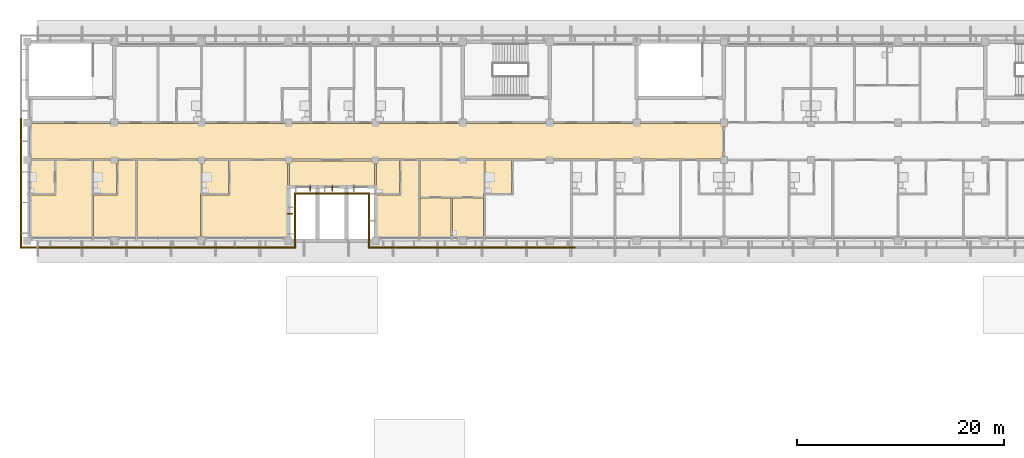
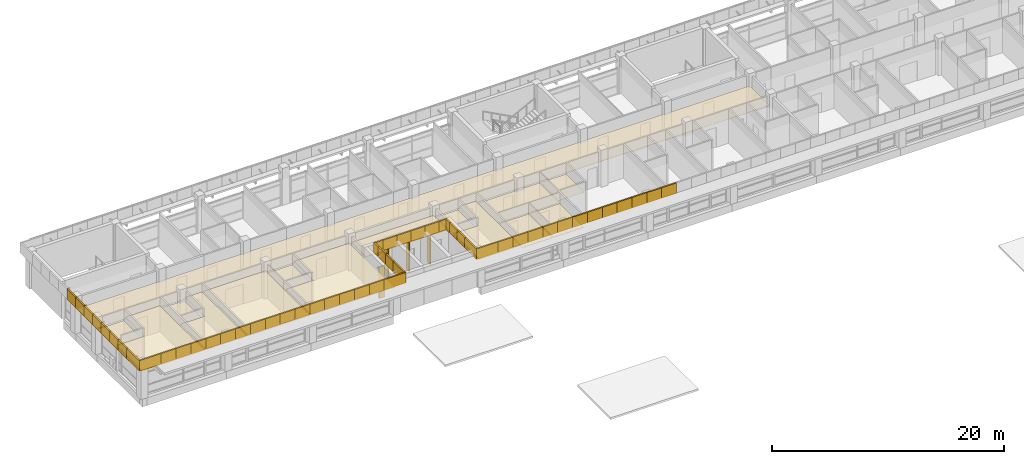
# One storey, part 30 of 36: 67 coverings, 4 shading devices.
"""IFC4 building model written with IfcOpenShell, lengths in metres."""

from ifc_helpers import new_model, si_unit, direction, frame, origin, origin_2d, place, context, subcontext, project, spatial, polyline, rectangle, outline, extrude, material, layer, layer_set, material_profile, profile_set, type_object, element, save


model = new_model("IFC4")

# Units and contexts
model_context = context("Model", 3, precision=1e-05, world=origin(), true_north=direction((0.0, 1.0)))
body_context = subcontext(model_context, "Body", "Model", "MODEL_VIEW")
ifc_project = project(units=[si_unit("LENGTHUNIT", "METRE"), si_unit("AREAUNIT", "SQUARE_METRE"), si_unit("VOLUMEUNIT", "CUBIC_METRE"), si_unit("PLANEANGLEUNIT", "RADIAN"), si_unit("MASSUNIT", "GRAM", prefix="KILO")], contexts=[model_context])

# Site, building, storey
site_placement = place(None, origin())
site = spatial("IfcSite", under=ifc_project, at=site_placement, CompositionType="ELEMENT")
building_placement = place(site_placement, origin())
building = spatial("IfcBuilding", under=site, at=building_placement, Name="Bougainvillea Quay General Hospital", CompositionType="ELEMENT")
storey_placement = place(building_placement, frame((0.0, 0.0, 32.699951171875)))
storey = spatial("IfcBuildingStorey", under=building, at=storey_placement, Name="L07", CompositionType="ELEMENT", Elevation=32.699951171875)

# Coverings
ifc_material_1 = material(Name="Powder-coated aluminium fascia, white", Category="aluminium")
ifc_layer_1 = layer(ifc_material_1, 0.14990234375)
ifc_layer_set_1 = layer_set([ifc_layer_1], Name="Powder-coated aluminium fascia, white")
covering_type_1 = type_object("IfcCoveringType", Name="Aluminium fascia band white 150x1100", PredefinedType="CLADDING", material=ifc_layer_set_1)
covering_1_placement = place(storey_placement, frame((41.449951171875, 152.21533203125, 3.35009765625), z_axis=(0.0, 0.0, 1.0), x_axis=(0.0, -1.0, 0.0)))
element("IfcCovering", 1, at=covering_1_placement, inside=storey, type_object=covering_type_1, Name="Fascia band white e0 102", PredefinedType="CLADDING", context=body_context, shape_type="SweptSolid", body=[
    extrude(outline(polyline([(0.0, 0.0), (1.476806640625, 0.0), (1.476806640625, -0.14990234375), (0.0, -0.14990234375), (0.0, 0.0)])), origin(), (0.0, 0.0, 1.0), 1.10009765625),
])
covering_2_placement = place(storey_placement, frame((41.449951171875, 150.738525390625, 3.35009765625), z_axis=(0.0, 0.0, 1.0), x_axis=(0.0, -1.0, 0.0)))
element("IfcCovering", 2, at=covering_2_placement, inside=storey, type_object=covering_type_1, Name="Fascia band white e0 103", PredefinedType="CLADDING", context=body_context, shape_type="SweptSolid", body=[
    extrude(outline(polyline([(0.0, 0.0), (1.47705078125, 0.0), (1.47705078125, -0.14990234375), (0.0, -0.14990234375), (0.0, 0.0)])), origin(), (0.0, 0.0, 1.0), 1.10009765625),
])
covering_3_placement = place(storey_placement, frame((41.449951171875, 149.261474609375, 3.35009765625), z_axis=(0.0, 0.0, 1.0), x_axis=(0.0, -1.0, 0.0)))
element("IfcCovering", 3, at=covering_3_placement, inside=storey, type_object=covering_type_1, Name="Fascia band white e0 104", PredefinedType="CLADDING", context=body_context, shape_type="SweptSolid", body=[
    extrude(outline(polyline([(0.0, 0.0), (1.476806640625, 0.0), (1.476806640625, -0.14990234375), (0.0, -0.14990234375), (0.0, 0.0)])), origin(), (0.0, 0.0, 1.0), 1.10009765625),
])
covering_4_placement = place(storey_placement, frame((41.449951171875, 147.78466796875, 3.35009765625), z_axis=(0.0, 0.0, 1.0), x_axis=(0.0, -1.0, 0.0)))
element("IfcCovering", 4, at=covering_4_placement, inside=storey, type_object=covering_type_1, Name="Fascia band white e0 105", PredefinedType="CLADDING", context=body_context, shape_type="SweptSolid", body=[
    extrude(outline(polyline([(0.0, 0.0), (1.47705078125, 0.0), (1.47705078125, -0.14990234375), (0.0, -0.14990234375), (0.0, 0.0)])), origin(), (0.0, 0.0, 1.0), 1.10009765625),
])
covering_5_placement = place(storey_placement, frame((41.449951171875, 146.3076171875, 3.35009765625), z_axis=(0.0, 0.0, 1.0), x_axis=(0.0, -1.0, 0.0)))
element("IfcCovering", 5, at=covering_5_placement, inside=storey, type_object=covering_type_1, Name="Fascia band white e0 106", PredefinedType="CLADDING", context=body_context, shape_type="SweptSolid", body=[
    extrude(outline(polyline([(0.0, 0.0), (1.476806640625, 0.0), (1.476806640625, -0.14990234375), (0.0, -0.14990234375), (0.0, 0.0)])), origin(), (0.0, 0.0, 1.0), 1.10009765625),
])
covering_6_placement = place(storey_placement, frame((41.449951171875, 144.830810546875, 3.35009765625), z_axis=(0.0, 0.0, 1.0), x_axis=(0.0, -1.0, 0.0)))
element("IfcCovering", 6, at=covering_6_placement, inside=storey, type_object=covering_type_1, Name="Fascia band white e0 107", PredefinedType="CLADDING", context=body_context, shape_type="SweptSolid", body=[
    extrude(outline(polyline([(0.0, 0.0), (1.47705078125, 0.0), (1.47705078125, -0.14990234375), (0.0, -0.14990234375), (0.0, 0.0)])), origin(), (0.0, 0.0, 1.0), 1.10009765625),
])
covering_7_placement = place(storey_placement, frame((41.449951171875, 143.353759765625, 3.35009765625), z_axis=(0.0, 0.0, 1.0), x_axis=(0.0, -1.0, 0.0)))
element("IfcCovering", 7, at=covering_7_placement, inside=storey, type_object=covering_type_1, Name="Fascia band white e0 108", PredefinedType="CLADDING", context=body_context, shape_type="SweptSolid", body=[
    extrude(outline(polyline([(0.0, 0.0), (1.476806640625, 0.0), (1.476806640625, -0.14990234375), (0.0, -0.14990234375), (0.0, 0.0)])), origin(), (0.0, 0.0, 1.0), 1.10009765625),
])
covering_8_placement = place(storey_placement, frame((41.449951171875, 141.876953125, 3.35009765625), z_axis=(0.0, 0.0, 1.0), x_axis=(0.0, -1.0, 0.0)))
element("IfcCovering", 8, at=covering_8_placement, inside=storey, type_object=covering_type_1, Name="Fascia band white e0 109", PredefinedType="CLADDING", context=body_context, shape_type="SweptSolid", body=[
    extrude(outline(polyline([(0.0, 0.0), (2.02685546875, 0.0), (2.177001953125, -0.14990234375), (0.0, -0.14990234375), (0.0, 0.0)])), origin(), (0.0, 0.0, 1.0), 1.10009765625),
])
covering_9_placement = place(storey_placement, frame((41.449951171875, 139.85009765625, 3.35009765625), z_axis=(0.0, 0.0, 1.0), x_axis=(1.0, 0.0, 0.0)))
element("IfcCovering", 9, at=covering_9_placement, inside=storey, type_object=covering_type_1, Name="Fascia band white e0 110", PredefinedType="CLADDING", context=body_context, shape_type="SweptSolid", body=[
    extrude(outline(polyline([(0.0, 0.0), (2.032470703125, 0.0), (2.032470703125, -0.150146484375), (-0.14990234375, -0.150146484375), (0.0, 0.0)])), origin(), (0.0, 0.0, 1.0), 1.10009765625),
])
covering_10_placement = place(storey_placement, frame((43.482421875, 139.85009765625, 3.35009765625), z_axis=(0.0, 0.0, 1.0), x_axis=(1.0, 0.0, 0.0)))
element("IfcCovering", 10, at=covering_10_placement, inside=storey, type_object=covering_type_1, Name="Fascia band white e0 111", PredefinedType="CLADDING", context=body_context, shape_type="SweptSolid", body=[
    extrude(outline(polyline([(0.0, 0.0), (1.482177734375, 0.0), (1.482177734375, -0.150146484375), (0.0, -0.150146484375), (0.0, 0.0)])), origin(), (0.0, 0.0, 1.0), 1.10009765625),
])
for number, where, z_axis, x_axis, name in (
    (11, (44.964599609375, 139.85009765625, 3.35009765625), (0.0, 0.0, 1.0), (1.0, 0.0, 0.0), "Fascia band white e0 112"),
    (12, (46.447021484375, 139.85009765625, 3.35009765625), (0.0, 0.0, 1.0), (1.0, 0.0, 0.0), "Fascia band white e0 113"),
    (13, (47.929443359375, 139.85009765625, 3.35009765625), (0.0, 0.0, 1.0), (1.0, 0.0, 0.0), "Fascia band white e0 114"),
):
    element("IfcCovering", number, at=place(storey_placement, frame(where, z_axis=z_axis, x_axis=x_axis)), inside=storey, type_object=covering_type_1, Name=name, PredefinedType="CLADDING", context=body_context, shape_type="SweptSolid", body=[
        extrude(outline(polyline([(0.0, 0.0), (1.482421875, 0.0), (1.482421875, -0.150146484375), (0.0, -0.150146484375), (0.0, 0.0)])), origin(), (0.0, 0.0, 1.0), 1.10009765625),
    ])
covering_11_placement = place(storey_placement, frame((49.411865234375, 139.85009765625, 3.35009765625), z_axis=(0.0, 0.0, 1.0), x_axis=(1.0, 0.0, 0.0)))
element("IfcCovering", 14, at=covering_11_placement, inside=storey, type_object=covering_type_1, Name="Fascia band white e0 115", PredefinedType="CLADDING", context=body_context, shape_type="SweptSolid", body=[
    extrude(outline(polyline([(0.0, 0.0), (1.482177734375, 0.0), (1.482177734375, -0.150146484375), (0.0, -0.150146484375), (0.0, 0.0)])), origin(), (0.0, 0.0, 1.0), 1.10009765625),
])
for number, where, z_axis, x_axis, name in (
    (15, (50.89404296875, 139.85009765625, 3.35009765625), (0.0, 0.0, 1.0), (1.0, 0.0, 0.0), "Fascia band white e0 116"),
    (16, (52.37646484375, 139.85009765625, 3.35009765625), (0.0, 0.0, 1.0), (1.0, 0.0, 0.0), "Fascia band white e0 117"),
):
    element("IfcCovering", number, at=place(storey_placement, frame(where, z_axis=z_axis, x_axis=x_axis)), inside=storey, type_object=covering_type_1, Name=name, PredefinedType="CLADDING", context=body_context, shape_type="SweptSolid", body=[
        extrude(outline(polyline([(0.0, 0.0), (1.482421875, 0.0), (1.482421875, -0.150146484375), (0.0, -0.150146484375), (0.0, 0.0)])), origin(), (0.0, 0.0, 1.0), 1.10009765625),
    ])
covering_12_placement = place(storey_placement, frame((53.85888671875, 139.85009765625, 3.35009765625), z_axis=(0.0, 0.0, 1.0), x_axis=(1.0, 0.0, 0.0)))
element("IfcCovering", 17, at=covering_12_placement, inside=storey, type_object=covering_type_1, Name="Fascia band white e0 118", PredefinedType="CLADDING", context=body_context, shape_type="SweptSolid", body=[
    extrude(outline(polyline([(0.0, 0.0), (1.482177734375, 0.0), (1.482177734375, -0.150146484375), (0.0, -0.150146484375), (0.0, 0.0)])), origin(), (0.0, 0.0, 1.0), 1.10009765625),
])
for number, where, z_axis, x_axis, name in (
    (18, (55.341064453125, 139.85009765625, 3.35009765625), (0.0, 0.0, 1.0), (1.0, 0.0, 0.0), "Fascia band white e0 119"),
    (19, (56.823486328125, 139.85009765625, 3.35009765625), (0.0, 0.0, 1.0), (1.0, 0.0, 0.0), "Fascia band white e0 120"),
    (20, (58.305908203125, 139.85009765625, 3.35009765625), (0.0, 0.0, 1.0), (1.0, 0.0, 0.0), "Fascia band white e0 121"),
):
    element("IfcCovering", number, at=place(storey_placement, frame(where, z_axis=z_axis, x_axis=x_axis)), inside=storey, type_object=covering_type_1, Name=name, PredefinedType="CLADDING", context=body_context, shape_type="SweptSolid", body=[
        extrude(outline(polyline([(0.0, 0.0), (1.482421875, 0.0), (1.482421875, -0.150146484375), (0.0, -0.150146484375), (0.0, 0.0)])), origin(), (0.0, 0.0, 1.0), 1.10009765625),
    ])
covering_13_placement = place(storey_placement, frame((59.788330078125, 139.85009765625, 3.35009765625), z_axis=(0.0, 0.0, 1.0), x_axis=(1.0, 0.0, 0.0)))
element("IfcCovering", 21, at=covering_13_placement, inside=storey, type_object=covering_type_1, Name="Fascia band white e0 122", PredefinedType="CLADDING", context=body_context, shape_type="SweptSolid", body=[
    extrude(outline(polyline([(0.0, 0.0), (1.482177734375, 0.0), (1.482177734375, -0.150146484375), (0.0, -0.150146484375), (0.0, 0.0)])), origin(), (0.0, 0.0, 1.0), 1.10009765625),
])
for number, where, z_axis, x_axis, name in (
    (22, (61.2705078125, 139.85009765625, 3.35009765625), (0.0, 0.0, 1.0), (1.0, 0.0, 0.0), "Fascia band white e0 123"),
    (23, (62.7529296875, 139.85009765625, 3.35009765625), (0.0, 0.0, 1.0), (1.0, 0.0, 0.0), "Fascia band white e0 124"),
):
    element("IfcCovering", number, at=place(storey_placement, frame(where, z_axis=z_axis, x_axis=x_axis)), inside=storey, type_object=covering_type_1, Name=name, PredefinedType="CLADDING", context=body_context, shape_type="SweptSolid", body=[
        extrude(outline(polyline([(0.0, 0.0), (1.482421875, 0.0), (1.482421875, -0.150146484375), (0.0, -0.150146484375), (0.0, 0.0)])), origin(), (0.0, 0.0, 1.0), 1.10009765625),
    ])
covering_14_placement = place(storey_placement, frame((64.2353515625, 139.85009765625, 3.35009765625), z_axis=(0.0, 0.0, 1.0), x_axis=(1.0, 0.0, 0.0)))
element("IfcCovering", 24, at=covering_14_placement, inside=storey, type_object=covering_type_1, Name="Fascia band white e0 125", PredefinedType="CLADDING", context=body_context, shape_type="SweptSolid", body=[
    extrude(outline(polyline([(0.0, 0.0), (1.482177734375, 0.0), (1.482177734375, -0.150146484375), (0.0, -0.150146484375), (0.0, 0.0)])), origin(), (0.0, 0.0, 1.0), 1.10009765625),
])
covering_15_placement = place(storey_placement, frame((65.717529296875, 139.85009765625, 3.35009765625), z_axis=(0.0, 0.0, 1.0), x_axis=(1.0, 0.0, 0.0)))
element("IfcCovering", 25, at=covering_15_placement, inside=storey, type_object=covering_type_1, Name="Fascia band white e0 126", PredefinedType="CLADDING", context=body_context, shape_type="SweptSolid", body=[
    extrude(outline(polyline([(0.0, 0.0), (2.032470703125, 0.0), (2.182373046875, -0.150146484375), (0.0, -0.150146484375), (0.0, 0.0)])), origin(), (0.0, 0.0, 1.0), 1.10009765625),
])
covering_16_placement = place(storey_placement, frame((67.75, 139.85009765625, 3.35009765625), z_axis=(0.0, 0.0, 1.0), x_axis=(0.0, 1.0, 0.0)))
element("IfcCovering", 26, at=covering_16_placement, inside=storey, type_object=covering_type_1, Name="Fascia band white e0 127", PredefinedType="CLADDING", context=body_context, shape_type="SweptSolid", body=[
    extrude(outline(polyline([(0.0, 0.0), (1.849853515625, 0.0), (1.849853515625, -0.14990234375), (-0.150146484375, -0.14990234375), (0.0, 0.0)])), origin(), (0.0, 0.0, 1.0), 1.10009765625),
])
for number, where, z_axis, x_axis, name in (
    (27, (67.75, 141.699951171875, 3.35009765625), (0.0, 0.0, 1.0), (0.0, 1.0, 0.0), "Fascia band white e0 128"),
    (28, (67.75, 143.0, 3.35009765625), (0.0, 0.0, 1.0), (0.0, 1.0, 0.0), "Fascia band white e0 129"),
):
    element("IfcCovering", number, at=place(storey_placement, frame(where, z_axis=z_axis, x_axis=x_axis)), inside=storey, type_object=covering_type_1, Name=name, PredefinedType="CLADDING", context=body_context, shape_type="SweptSolid", body=[
        extrude(outline(polyline([(0.0, 0.0), (1.300048828125, 0.0), (1.300048828125, -0.14990234375), (0.0, -0.14990234375), (0.0, 0.0)])), origin(), (0.0, 0.0, 1.0), 1.10009765625),
    ])
covering_17_placement = place(storey_placement, frame((67.75, 144.300048828125, 3.35009765625), z_axis=(0.0, 0.0, 1.0), x_axis=(0.0, 1.0, 0.0)))
element("IfcCovering", 29, at=covering_17_placement, inside=storey, type_object=covering_type_1, Name="Fascia band white e0 130", PredefinedType="CLADDING", context=body_context, shape_type="SweptSolid", body=[
    extrude(outline(polyline([(0.0, 0.0), (0.75, 0.0), (0.599853515625, -0.14990234375), (0.0, -0.14990234375), (0.0, 0.0)])), origin(), (0.0, 0.0, 1.0), 1.10009765625),
])
covering_18_placement = place(storey_placement, frame((67.75, 145.050048828125, 3.35009765625), z_axis=(0.0, 0.0, 1.0), x_axis=(1.0, 0.0, 0.0)))
element("IfcCovering", 30, at=covering_18_placement, inside=storey, type_object=covering_type_1, Name="Fascia band white e0 131", PredefinedType="CLADDING", context=body_context, shape_type="SweptSolid", body=[
    extrude(outline(polyline([(0.0, 0.0), (0.85009765625, 0.0), (0.85009765625, -0.150146484375), (0.14990234375, -0.150146484375), (0.0, 0.0)])), origin(), (0.0, 0.0, 1.0), 1.10009765625),
])
for number, where, z_axis, x_axis, name in (
    (31, (68.60009765625, 145.050048828125, 3.35009765625), (0.0, 0.0, 1.0), (1.0, 0.0, 0.0), "Fascia band white e0 132"),
    (32, (70.0, 145.050048828125, 3.35009765625), (0.0, 0.0, 1.0), (1.0, 0.0, 0.0), "Fascia band white e0 133"),
):
    element("IfcCovering", number, at=place(storey_placement, frame(where, z_axis=z_axis, x_axis=x_axis)), inside=storey, type_object=covering_type_1, Name=name, PredefinedType="CLADDING", context=body_context, shape_type="SweptSolid", body=[
        extrude(outline(polyline([(0.0, 0.0), (1.39990234375, 0.0), (1.39990234375, -0.150146484375), (0.0, -0.150146484375), (0.0, 0.0)])), origin(), (0.0, 0.0, 1.0), 1.10009765625),
    ])
covering_19_placement = place(storey_placement, frame((71.39990234375, 145.050048828125, 3.35009765625), z_axis=(0.0, 0.0, 1.0), x_axis=(1.0, 0.0, 0.0)))
element("IfcCovering", 33, at=covering_19_placement, inside=storey, type_object=covering_type_1, Name="Fascia band white e0 134", PredefinedType="CLADDING", context=body_context, shape_type="SweptSolid", body=[
    extrude(outline(polyline([(0.0, 0.0), (1.400146484375, 0.0), (1.400146484375, -0.150146484375), (0.0, -0.150146484375), (0.0, 0.0)])), origin(), (0.0, 0.0, 1.0), 1.10009765625),
])
covering_20_placement = place(storey_placement, frame((72.800048828125, 145.050048828125, 3.35009765625), z_axis=(0.0, 0.0, 1.0), x_axis=(1.0, 0.0, 0.0)))
element("IfcCovering", 34, at=covering_20_placement, inside=storey, type_object=covering_type_1, Name="Fascia band white e0 135", PredefinedType="CLADDING", context=body_context, shape_type="SweptSolid", body=[
    extrude(outline(polyline([(0.0, 0.0), (1.39990234375, 0.0), (1.39990234375, -0.150146484375), (0.0, -0.150146484375), (0.0, 0.0)])), origin(), (0.0, 0.0, 1.0), 1.10009765625),
])
covering_21_placement = place(storey_placement, frame((74.199951171875, 145.050048828125, 3.35009765625), z_axis=(0.0, 0.0, 1.0), x_axis=(1.0, 0.0, 0.0)))
element("IfcCovering", 35, at=covering_21_placement, inside=storey, type_object=covering_type_1, Name="Fascia band white e0 136", PredefinedType="CLADDING", context=body_context, shape_type="SweptSolid", body=[
    extrude(outline(polyline([(0.0, 0.0), (0.85009765625, 0.0), (0.699951171875, -0.150146484375), (0.0, -0.150146484375), (0.0, 0.0)])), origin(), (0.0, 0.0, 1.0), 1.10009765625),
])
covering_22_placement = place(storey_placement, frame((75.050048828125, 145.050048828125, 3.35009765625), z_axis=(0.0, 0.0, 1.0), x_axis=(0.0, -1.0, 0.0)))
element("IfcCovering", 36, at=covering_22_placement, inside=storey, type_object=covering_type_1, Name="Fascia band white e0 137", PredefinedType="CLADDING", context=body_context, shape_type="SweptSolid", body=[
    extrude(outline(polyline([(0.0, 0.0), (0.75, 0.0), (0.75, -0.150146484375), (0.150146484375, -0.150146484375), (0.0, 0.0)])), origin(), (0.0, 0.0, 1.0), 1.10009765625),
])
for number, where, z_axis, x_axis, name in (
    (37, (75.050048828125, 144.300048828125, 3.35009765625), (0.0, 0.0, 1.0), (0.0, -1.0, 0.0), "Fascia band white e0 138"),
    (38, (75.050048828125, 143.0, 3.35009765625), (0.0, 0.0, 1.0), (0.0, -1.0, 0.0), "Fascia band white e0 139"),
):
    element("IfcCovering", number, at=place(storey_placement, frame(where, z_axis=z_axis, x_axis=x_axis)), inside=storey, type_object=covering_type_1, Name=name, PredefinedType="CLADDING", context=body_context, shape_type="SweptSolid", body=[
        extrude(outline(polyline([(0.0, 0.0), (1.300048828125, 0.0), (1.300048828125, -0.150146484375), (0.0, -0.150146484375), (0.0, 0.0)])), origin(), (0.0, 0.0, 1.0), 1.10009765625),
    ])
covering_23_placement = place(storey_placement, frame((75.050048828125, 141.699951171875, 3.35009765625), z_axis=(0.0, 0.0, 1.0), x_axis=(0.0, -1.0, 0.0)))
element("IfcCovering", 39, at=covering_23_placement, inside=storey, type_object=covering_type_1, Name="Fascia band white e0 140", PredefinedType="CLADDING", context=body_context, shape_type="SweptSolid", body=[
    extrude(outline(polyline([(0.0, 0.0), (1.849853515625, 0.0), (2.0, -0.150146484375), (0.0, -0.150146484375), (0.0, 0.0)])), origin(), (0.0, 0.0, 1.0), 1.10009765625),
])
covering_24_placement = place(storey_placement, frame((75.050048828125, 139.85009765625, 3.35009765625), z_axis=(0.0, 0.0, 1.0), x_axis=(1.0, 0.0, 0.0)))
element("IfcCovering", 40, at=covering_24_placement, inside=storey, type_object=covering_type_1, Name="Fascia band white e0 141", PredefinedType="CLADDING", context=body_context, shape_type="SweptSolid", body=[
    extrude(outline(polyline([(0.0, 0.0), (2.0322265625, 0.0), (2.0322265625, -0.150146484375), (-0.150146484375, -0.150146484375), (0.0, 0.0)])), origin(), (0.0, 0.0, 1.0), 1.10009765625),
])
for number, where, z_axis, x_axis, name in (
    (41, (77.082275390625, 139.85009765625, 3.35009765625), (0.0, 0.0, 1.0), (1.0, 0.0, 0.0), "Fascia band white e0 142"),
    (42, (78.564697265625, 139.85009765625, 3.35009765625), (0.0, 0.0, 1.0), (1.0, 0.0, 0.0), "Fascia band white e0 143"),
):
    element("IfcCovering", number, at=place(storey_placement, frame(where, z_axis=z_axis, x_axis=x_axis)), inside=storey, type_object=covering_type_1, Name=name, PredefinedType="CLADDING", context=body_context, shape_type="SweptSolid", body=[
        extrude(outline(polyline([(0.0, 0.0), (1.482421875, 0.0), (1.482421875, -0.150146484375), (0.0, -0.150146484375), (0.0, 0.0)])), origin(), (0.0, 0.0, 1.0), 1.10009765625),
    ])
covering_25_placement = place(storey_placement, frame((80.047119140625, 139.85009765625, 3.35009765625), z_axis=(0.0, 0.0, 1.0), x_axis=(1.0, 0.0, 0.0)))
element("IfcCovering", 43, at=covering_25_placement, inside=storey, type_object=covering_type_1, Name="Fascia band white e0 144", PredefinedType="CLADDING", context=body_context, shape_type="SweptSolid", body=[
    extrude(outline(polyline([(0.0, 0.0), (1.482177734375, 0.0), (1.482177734375, -0.150146484375), (0.0, -0.150146484375), (0.0, 0.0)])), origin(), (0.0, 0.0, 1.0), 1.10009765625),
])
for number, where, z_axis, x_axis, name in (
    (44, (81.529296875, 139.85009765625, 3.35009765625), (0.0, 0.0, 1.0), (1.0, 0.0, 0.0), "Fascia band white e0 145"),
    (45, (83.01171875, 139.85009765625, 3.35009765625), (0.0, 0.0, 1.0), (1.0, 0.0, 0.0), "Fascia band white e0 146"),
    (46, (84.494140625, 139.85009765625, 3.35009765625), (0.0, 0.0, 1.0), (1.0, 0.0, 0.0), "Fascia band white e0 147"),
):
    element("IfcCovering", number, at=place(storey_placement, frame(where, z_axis=z_axis, x_axis=x_axis)), inside=storey, type_object=covering_type_1, Name=name, PredefinedType="CLADDING", context=body_context, shape_type="SweptSolid", body=[
        extrude(outline(polyline([(0.0, 0.0), (1.482421875, 0.0), (1.482421875, -0.150146484375), (0.0, -0.150146484375), (0.0, 0.0)])), origin(), (0.0, 0.0, 1.0), 1.10009765625),
    ])
covering_26_placement = place(storey_placement, frame((85.9765625, 139.85009765625, 3.35009765625), z_axis=(0.0, 0.0, 1.0), x_axis=(1.0, 0.0, 0.0)))
element("IfcCovering", 47, at=covering_26_placement, inside=storey, type_object=covering_type_1, Name="Fascia band white e0 148", PredefinedType="CLADDING", context=body_context, shape_type="SweptSolid", body=[
    extrude(outline(polyline([(0.0, 0.0), (1.482177734375, 0.0), (1.482177734375, -0.150146484375), (0.0, -0.150146484375), (0.0, 0.0)])), origin(), (0.0, 0.0, 1.0), 1.10009765625),
])
for number, where, z_axis, x_axis, name in (
    (48, (87.458740234375, 139.85009765625, 3.35009765625), (0.0, 0.0, 1.0), (1.0, 0.0, 0.0), "Fascia band white e0 149"),
    (49, (88.941162109375, 139.85009765625, 3.35009765625), (0.0, 0.0, 1.0), (1.0, 0.0, 0.0), "Fascia band white e0 150"),
):
    element("IfcCovering", number, at=place(storey_placement, frame(where, z_axis=z_axis, x_axis=x_axis)), inside=storey, type_object=covering_type_1, Name=name, PredefinedType="CLADDING", context=body_context, shape_type="SweptSolid", body=[
        extrude(outline(polyline([(0.0, 0.0), (1.482421875, 0.0), (1.482421875, -0.150146484375), (0.0, -0.150146484375), (0.0, 0.0)])), origin(), (0.0, 0.0, 1.0), 1.10009765625),
    ])
covering_27_placement = place(storey_placement, frame((90.423583984375, 139.85009765625, 3.35009765625), z_axis=(0.0, 0.0, 1.0), x_axis=(1.0, 0.0, 0.0)))
element("IfcCovering", 50, at=covering_27_placement, inside=storey, type_object=covering_type_1, Name="Fascia band white e0 151", PredefinedType="CLADDING", context=body_context, shape_type="SweptSolid", body=[
    extrude(outline(polyline([(0.0, 0.0), (1.482177734375, 0.0), (1.482177734375, -0.150146484375), (0.0, -0.150146484375), (0.0, 0.0)])), origin(), (0.0, 0.0, 1.0), 1.10009765625),
])
for number, where, z_axis, x_axis, name in (
    (51, (91.90576171875, 139.85009765625, 3.35009765625), (0.0, 0.0, 1.0), (1.0, 0.0, 0.0), "Fascia band white e0 152"),
    (52, (93.38818359375, 139.85009765625, 3.35009765625), (0.0, 0.0, 1.0), (1.0, 0.0, 0.0), "Fascia band white e0 153"),
):
    element("IfcCovering", number, at=place(storey_placement, frame(where, z_axis=z_axis, x_axis=x_axis)), inside=storey, type_object=covering_type_1, Name=name, PredefinedType="CLADDING", context=body_context, shape_type="SweptSolid", body=[
        extrude(outline(polyline([(0.0, 0.0), (1.482421875, 0.0), (1.482421875, -0.150146484375), (0.0, -0.150146484375), (0.0, 0.0)])), origin(), (0.0, 0.0, 1.0), 1.10009765625),
    ])
ifc_material_2 = material(Name="Mineral fibre ceiling tile")
ifc_layer_2 = layer(ifc_material_2, 0.030029296875)
ifc_layer_set_2 = layer_set([ifc_layer_2], Name="Mineral fibre ceiling tile")
covering_type_2 = type_object("IfcCoveringType", Name="Suspended ceiling mineral fibre tile", PredefinedType="CEILING", material=ifc_layer_set_2)
covering_28_placement = place(storey_placement, frame((0.0, 0.0, 2.699951171875)))
element("IfcCovering", 53, at=covering_28_placement, inside=storey, type_object=covering_type_2, Name="Ceiling Lift Lobby LB-A1 (Fire-fighting)", PredefinedType="CEILING", context=body_context, shape_type="SweptSolid", body=[
    extrude(outline(polyline([(75.5, 145.60009765625), (75.5, 148.10009765625), (67.300048828125, 148.10009765625), (67.300048828125, 145.60009765625), (75.5, 145.60009765625)])), origin(), (0.0, 0.0, 1.0), 0.030029296875),
])
covering_29_placement = place(storey_placement, frame((0.0, 0.0, 2.699951171875)))
element("IfcCovering", 54, at=covering_29_placement, inside=storey, type_object=covering_type_2, Name="Ceiling Step-down Bay Room 07A01", PredefinedType="CEILING", context=body_context, shape_type="SweptSolid", body=[
    extrude(outline(polyline([(48.22509765625, 140.39990234375), (48.22509765625, 148.125), (44.77490234375, 148.125), (44.77490234375, 144.824951171875), (42.0, 144.824951171875), (42.0, 140.39990234375), (48.22509765625, 140.39990234375)])), origin(), (0.0, 0.0, 1.0), 0.030029296875),
])
covering_30_placement = place(storey_placement, frame((0.0, 0.0, 2.400146484375)))
element("IfcCovering", 55, at=covering_30_placement, inside=storey, type_object=covering_type_2, Name="Ceiling En-suite 07A01", PredefinedType="CEILING", context=body_context, shape_type="SweptSolid", body=[
    extrude(outline(polyline([(42.0, 144.97509765625), (44.625, 144.97509765625), (44.625, 148.125), (42.0, 148.125), (42.0, 144.97509765625)])), origin(), (0.0, 0.0, 1.0), 0.02978515625),
])
covering_31_placement = place(storey_placement, frame((0.0, 0.0, 2.699951171875)))
element("IfcCovering", 56, at=covering_31_placement, inside=storey, type_object=covering_type_2, Name="Ceiling High Dependency Room 07A02", PredefinedType="CEILING", context=body_context, shape_type="SweptSolid", body=[
    extrude(outline(polyline([(52.425048828125, 140.39990234375), (52.425048828125, 148.125), (50.77490234375, 148.125), (50.77490234375, 144.824951171875), (48.375, 144.824951171875), (48.375, 140.39990234375), (52.425048828125, 140.39990234375)])), origin(), (0.0, 0.0, 1.0), 0.030029296875),
])
covering_32_placement = place(storey_placement, frame((0.0, 0.0, 2.400146484375)))
element("IfcCovering", 57, at=covering_32_placement, inside=storey, type_object=covering_type_2, Name="Ceiling En-suite 07A02", PredefinedType="CEILING", context=body_context, shape_type="SweptSolid", body=[
    extrude(outline(polyline([(48.375, 144.97509765625), (50.625, 144.97509765625), (50.625, 148.125), (48.375, 148.125), (48.375, 144.97509765625)])), origin(), (0.0, 0.0, 1.0), 0.02978515625),
])
covering_33_placement = place(storey_placement, frame((0.0, 0.0, 2.699951171875)))
element("IfcCovering", 58, at=covering_33_placement, inside=storey, type_object=covering_type_2, Name="Ceiling Nurses' Station 07A03", PredefinedType="CEILING", context=body_context, shape_type="SweptSolid", body=[
    extrude(outline(polyline([(58.72509765625, 140.39990234375), (58.72509765625, 144.97509765625), (58.75, 144.97509765625), (58.75, 148.125), (52.574951171875, 148.125), (52.574951171875, 140.39990234375), (58.72509765625, 140.39990234375)])), origin(), (0.0, 0.0, 1.0), 0.030029296875),
])
covering_34_placement = place(storey_placement, frame((0.0, 0.0, 2.699951171875)))
element("IfcCovering", 59, at=covering_34_placement, inside=storey, type_object=covering_type_2, Name="Ceiling Step-down Ward Room 07A04", PredefinedType="CEILING", context=body_context, shape_type="SweptSolid", body=[
    extrude(outline(polyline([(67.199951171875, 145.60009765625), (67.10009765625, 145.60009765625), (67.10009765625, 148.125), (61.574951171875, 148.125), (61.574951171875, 144.824951171875), (58.875, 144.824951171875), (58.875, 140.39990234375), (67.199951171875, 140.39990234375), (67.199951171875, 145.60009765625)])), origin(), (0.0, 0.0, 1.0), 0.030029296875),
])
covering_35_placement = place(storey_placement, frame((0.0, 0.0, 2.400146484375)))
element("IfcCovering", 60, at=covering_35_placement, inside=storey, type_object=covering_type_2, Name="Ceiling En-suite 07A04", PredefinedType="CEILING", context=body_context, shape_type="SweptSolid", body=[
    extrude(outline(polyline([(58.85009765625, 148.125), (58.85009765625, 144.97509765625), (61.425048828125, 144.97509765625), (61.425048828125, 148.125), (58.85009765625, 148.125)])), origin(), (0.0, 0.0, 1.0), 0.02978515625),
])
covering_36_placement = place(storey_placement, frame((0.0, 0.0, 2.699951171875)))
element("IfcCovering", 61, at=covering_36_placement, inside=storey, type_object=covering_type_2, Name="Ceiling High Dependency Room 07A12", PredefinedType="CEILING", context=body_context, shape_type="SweptSolid", body=[
    extrude(outline(polyline([(79.72509765625, 140.39990234375), (79.72509765625, 148.125), (78.074951171875, 148.125), (78.074951171875, 144.824951171875), (75.60009765625, 144.824951171875), (75.60009765625, 140.39990234375), (79.72509765625, 140.39990234375)])), origin(), (0.0, 0.0, 1.0), 0.030029296875),
])
covering_37_placement = place(storey_placement, frame((0.0, 0.0, 2.400146484375)))
element("IfcCovering", 62, at=covering_37_placement, inside=storey, type_object=covering_type_2, Name="Ceiling En-suite 07A12", PredefinedType="CEILING", context=body_context, shape_type="SweptSolid", body=[
    extrude(outline(polyline([(75.60009765625, 144.97509765625), (77.925048828125, 144.97509765625), (77.925048828125, 148.125), (75.699951171875, 148.125), (75.699951171875, 145.60009765625), (75.60009765625, 145.60009765625), (75.60009765625, 144.97509765625)])), origin(), (0.0, 0.0, 1.0), 0.02978515625),
])
covering_38_placement = place(storey_placement, frame((0.0, 0.0, 2.400146484375)))
element("IfcCovering", 63, at=covering_38_placement, inside=storey, type_object=covering_type_2, Name="Ceiling WC Lobby 07A13", PredefinedType="CEILING", context=body_context, shape_type="SweptSolid", body=[
    extrude(outline(polyline([(86.050048828125, 144.97509765625), (86.050048828125, 148.125), (79.875, 148.125), (79.875, 144.64990234375), (86.02490234375, 144.64990234375), (86.02490234375, 144.97509765625), (86.050048828125, 144.97509765625)])), origin(), (0.0, 0.0, 1.0), 0.02978515625),
])
covering_39_placement = place(storey_placement, frame((0.0, 0.0, 2.400146484375)))
element("IfcCovering", 64, at=covering_39_placement, inside=storey, type_object=covering_type_2, Name="Ceiling Accessible WC 07A13", PredefinedType="CEILING", context=body_context, shape_type="SweptSolid", body=[
    extrude(outline(polyline([(82.89990234375, 140.39990234375), (82.89990234375, 144.550048828125), (79.875, 144.550048828125), (79.875, 140.39990234375), (82.89990234375, 140.39990234375)])), origin(), (0.0, 0.0, 1.0), 0.02978515625),
])
covering_40_placement = place(storey_placement, frame((0.0, 0.0, 2.400146484375)))
element("IfcCovering", 65, at=covering_40_placement, inside=storey, type_object=covering_type_2, Name="Ceiling Visitors' WC 07A13", PredefinedType="CEILING", context=body_context, shape_type="SweptSolid", body=[
    extrude(outline(polyline([(86.02490234375, 140.39990234375), (86.02490234375, 144.550048828125), (83.0, 144.550048828125), (83.0, 140.39990234375), (86.02490234375, 140.39990234375)])), origin(), (0.0, 0.0, 1.0), 0.02978515625),
])
covering_41_placement = place(storey_placement, frame((0.0, 0.0, 2.400146484375)))
element("IfcCovering", 66, at=covering_41_placement, inside=storey, type_object=covering_type_2, Name="Ceiling En-suite 07A14", PredefinedType="CEILING", context=body_context, shape_type="SweptSolid", body=[
    extrude(outline(polyline([(86.14990234375, 148.125), (86.14990234375, 144.97509765625), (88.72509765625, 144.97509765625), (88.72509765625, 148.125), (86.14990234375, 148.125)])), origin(), (0.0, 0.0, 1.0), 0.02978515625),
])
covering_42_placement = place(storey_placement, frame((0.0, 0.0, 2.400146484375)))
element("IfcCovering", 67, at=covering_42_placement, inside=storey, type_object=covering_type_2, Name="Ceiling Ward Corridor A1", PredefinedType="CEILING", context=body_context, shape_type="SweptSolid", body=[
    extrude(outline(polyline([(42.0, 148.27490234375), (67.10009765625, 148.27490234375), (67.10009765625, 148.300048828125), (75.699951171875, 148.300048828125), (75.699951171875, 148.27490234375), (109.10009765625, 148.27490234375), (109.10009765625, 151.699951171875), (100.699951171875, 151.699951171875), (100.699951171875, 151.72509765625), (92.5, 151.72509765625), (92.5, 151.699951171875), (83.89990234375, 151.699951171875), (83.89990234375, 151.72509765625), (54.699951171875, 151.72509765625), (54.699951171875, 151.699951171875), (42.0, 151.699951171875), (42.0, 148.27490234375)])), origin(), (0.0, 0.0, 1.0), 0.02978515625),
])

# Shading devices
ifc_material_3 = material(Name="Powder-coated aluminium fin, white", Category="aluminium")
ifc_material_profile = material_profile(ifc_material_3, rectangle(XDim=0.550048828125, YDim=0.10009765625, at=origin_2d()))
ifc_profile_set = profile_set([ifc_material_profile], Name="Powder-coated aluminium fin, white")
shading_device_type = type_object("IfcShadingDeviceType", Name="Vertical fin 550x100", PredefinedType="USERDEFINED", material=ifc_profile_set)
for number, where, z_axis, x_axis, name in (
    (68, (67.344970703125, 143.0, 0.0), (0.0, 0.0, 1.0), (1.0, 0.0, 0.0), "Vertical fin V5A L07 03.1"),
    (69, (73.5, 145.455078125, 0.0), (0.0, 0.0, 1.0), (0.0, -1.0, 0.0), "Vertical fin V5A L07 04.1"),
    (70, (71.39990234375, 145.455078125, 0.0), (0.0, 0.0, 1.0), (0.0, -1.0, 0.0), "Vertical fin V5A L07 04.2"),
    (71, (69.300048828125, 145.455078125, 0.0), (0.0, 0.0, 1.0), (0.0, -1.0, 0.0), "Vertical fin V5A L07 04.3"),
):
    element("IfcShadingDevice", number, at=place(storey_placement, frame(where, z_axis=z_axis, x_axis=x_axis)), inside=storey, type_object=shading_device_type, Name=name, ObjectType="Vertical fin", PredefinedType="USERDEFINED", context=body_context, shape_type="SweptSolid", body=[
        extrude(rectangle(XDim=0.550048828125, YDim=0.10009765625, at=origin_2d()), origin(), (0.0, 0.0, 1.0), 3.330078125),
    ])

save(model, "model.ifc")
